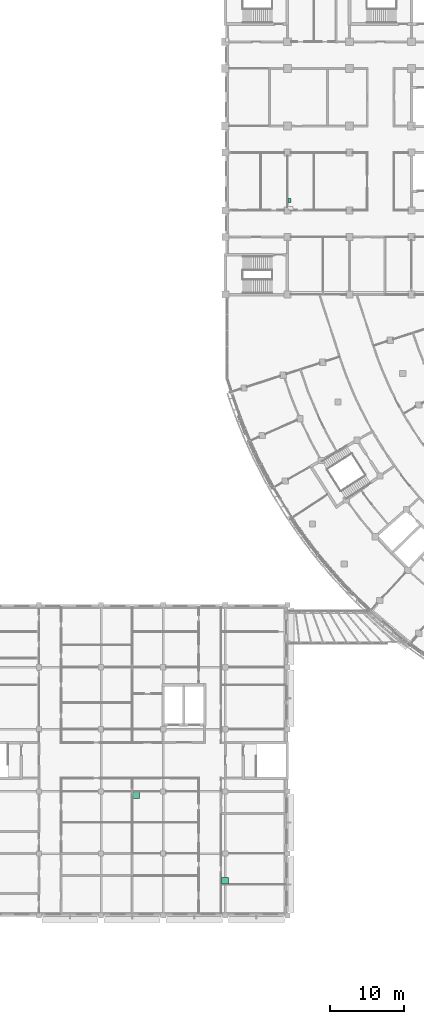
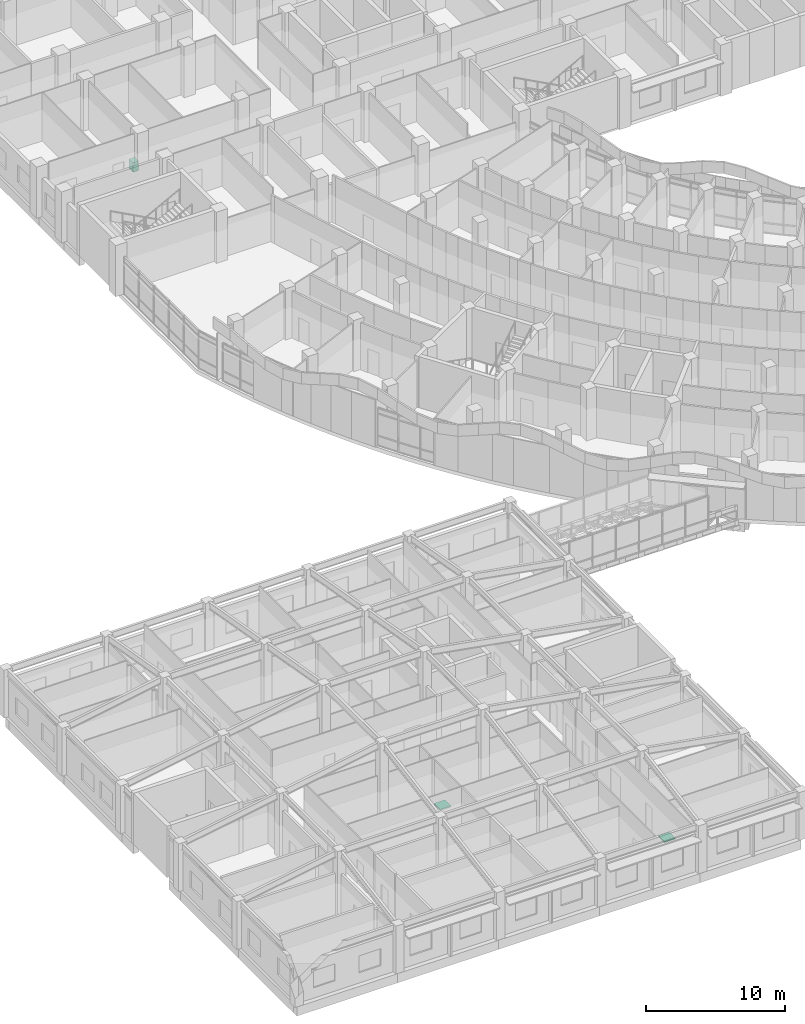
# One storey, part 135 of 136: 3 sanitary terminals.
"""IFC4 building model written with IfcOpenShell, lengths in metres."""

from ifc_helpers import new_model, si_unit, direction, frame, origin, origin_2d, place, context, subcontext, project, spatial, rectangle, extrude, material, type_object, element, save


model = new_model("IFC4")

# Units and contexts
model_context = context("Model", 3, precision=1e-05, world=origin(), true_north=direction((0.0, 1.0)))
body_context = subcontext(model_context, "Body", "Model", "MODEL_VIEW")
ifc_project = project(units=[si_unit("LENGTHUNIT", "METRE"), si_unit("AREAUNIT", "SQUARE_METRE"), si_unit("VOLUMEUNIT", "CUBIC_METRE"), si_unit("PLANEANGLEUNIT", "RADIAN"), si_unit("MASSUNIT", "GRAM", prefix="KILO")], contexts=[model_context])

# Site, building, storey
site_placement = place(None, origin())
site = spatial("IfcSite", under=ifc_project, at=site_placement, CompositionType="ELEMENT")
building_placement = place(site_placement, origin())
building = spatial("IfcBuilding", under=site, at=building_placement, Name="Bougainvillea Quay General Hospital", CompositionType="ELEMENT")
storey_placement = place(building_placement, frame((0.0, 0.0, 5.39990234375)))
storey = spatial("IfcBuildingStorey", under=building, at=storey_placement, Name="L01", CompositionType="ELEMENT", Elevation=5.39990234375)

# Sanitary terminals
ifc_material = material(Name="Vitreous china")
sanitary_terminal_type_1 = type_object("IfcSanitaryTerminalType", Name="Shower tray 900x900", PredefinedType="SHOWER", material=ifc_material)
for number, where, z_axis, x_axis, name in (
    (1, (29.949951171875, 49.89990234375, 0.0), (0.0, 0.0, 1.0), (1.0, 0.0, 0.0), "Shower tray"),
    (2, (41.949951171875, 38.300048828125, 0.0), (0.0, 0.0, 1.0), (-1.0, 0.0, 0.0), "Shower tray"),
):
    element("IfcSanitaryTerminal", number, at=place(storey_placement, frame(where, z_axis=z_axis, x_axis=x_axis)), inside=storey, type_object=sanitary_terminal_type_1, Name=name, PredefinedType="SHOWER", context=body_context, shape_type="SweptSolid", body=[
        extrude(rectangle(XDim=0.89990234375, YDim=0.89990234375, at=origin_2d()), origin(), (0.0, 0.0, 1.0), 0.10009765625),
    ])
sanitary_terminal_type_2 = type_object("IfcSanitaryTerminalType", Name="Wash hand basin 550x450", PredefinedType="WASHHANDBASIN", material=ifc_material)
sanitary_terminal_placement = place(storey_placement, frame((50.675048828125, 130.324951171875, 0.0), z_axis=(0.0, 0.0, 1.0), x_axis=(0.0, 1.0, 0.0)))
element("IfcSanitaryTerminal", 3, at=sanitary_terminal_placement, inside=storey, type_object=sanitary_terminal_type_2, Name="Wash hand basin", PredefinedType="WASHHANDBASIN", context=body_context, shape_type="SweptSolid", body=[
    extrude(rectangle(XDim=0.550048828125, YDim=0.449951171875, at=origin_2d()), origin(), (0.0, 0.0, 1.0), 0.85009765625),
])

save(model, "model.ifc")
